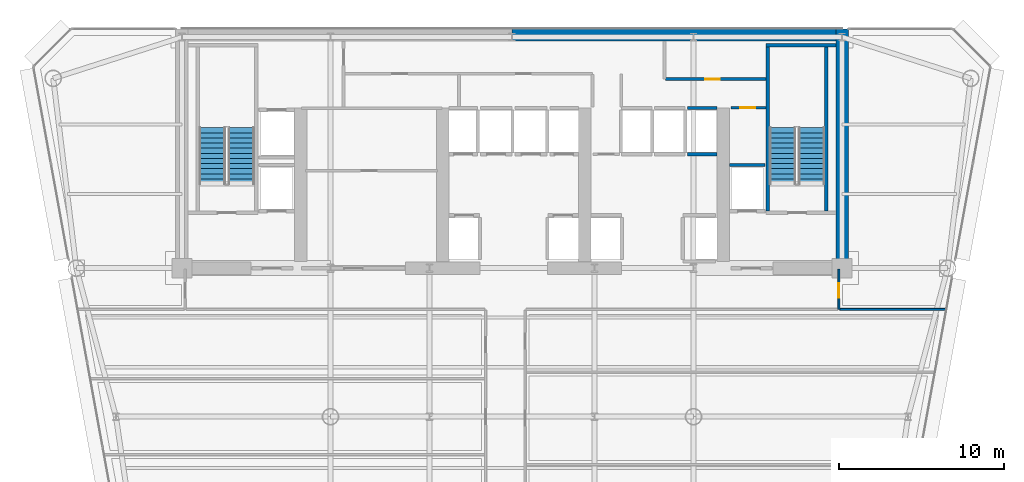
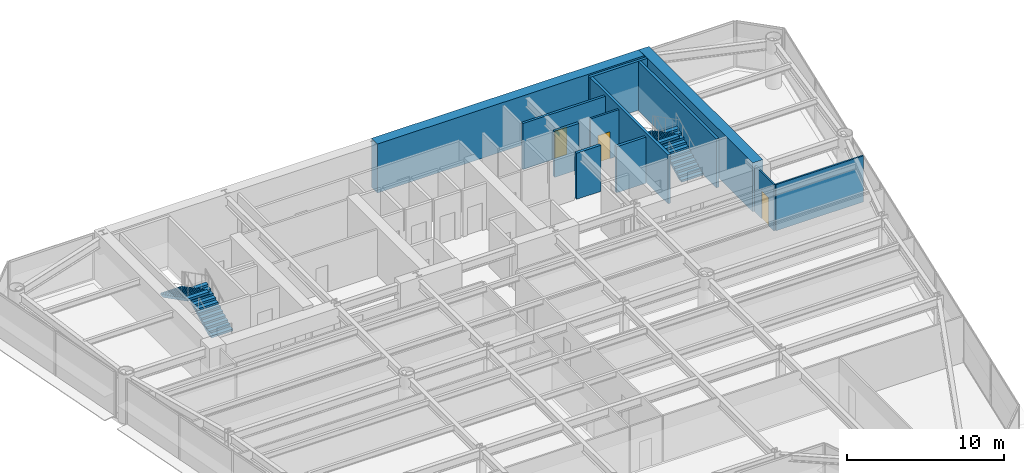
# One storey, part 13 of 17: 12 walls, 4 stair flights, 3 doors, 3 openings, 2 elements without a shape of their own.
"""IFC4 building model written with IfcOpenShell, lengths in metres."""

from ifc_helpers import new_model, si_unit, direction, frame, frame_2d, origin, place, context, subcontext, project, spatial, polyline, rectangle, outline, extrude, source, transform, mapped, material, layer, layer_set, type_object, element, fill, aggregate, save


model = new_model("IFC4")

# Units and contexts
model_context = context("Model", 3, precision=1e-05, world=origin(), true_north=direction((0.0, 1.0)))
body_context = subcontext(model_context, "Body", "Model", "MODEL_VIEW")
ifc_project = project(units=[si_unit("LENGTHUNIT", "METRE"), si_unit("AREAUNIT", "SQUARE_METRE"), si_unit("VOLUMEUNIT", "CUBIC_METRE"), si_unit("PLANEANGLEUNIT", "RADIAN"), si_unit("MASSUNIT", "GRAM", prefix="KILO")], contexts=[model_context])

# Site, building, storey
site_placement = place(None, origin())
site = spatial("IfcSite", under=ifc_project, at=site_placement, CompositionType="ELEMENT")
building_placement = place(site_placement, origin())
building = spatial("IfcBuilding", under=site, at=building_placement, Name="Vaeldorn Concourse Tower", CompositionType="ELEMENT")
storey_placement = place(building_placement, frame((0.0, 0.0, 153.800048828125)))
storey = spatial("IfcBuildingStorey", under=building, at=storey_placement, Name="L39", CompositionType="ELEMENT", Elevation=153.800048828125)

# Walls
ifc_material_1 = material(Name="Concrete C60/75", Category="concrete")
ifc_layer_1 = layer(ifc_material_1, 0.75)
ifc_layer_set_1 = layer_set([ifc_layer_1], Name="Concrete C60/75")
wall_type_1 = type_object("IfcWallType", Name="WL-CORE-750", PredefinedType="SHEAR", material=ifc_layer_set_1)
wall_1_placement = place(storey_placement, frame((34.001953125, 50.625, 0.0), z_axis=(0.0, 0.0, 1.0), x_axis=(1.0, 0.0, 0.0)))
element("IfcWall", 1, at=wall_1_placement, inside=storey, type_object=wall_type_1, Name="Rear Core Shear Wall L39 N2", PredefinedType="SHEAR", context=body_context, shape_type="SweptSolid", body=[
    extrude(rectangle(XDim=19.619140625, YDim=0.75, at=frame_2d((9.8095703125, 0.0))), origin(), (0.0, 0.0, 1.0), 3.800048828125),
])
wall_2_placement = place(storey_placement, frame((54.0, 36.5, 0.0), z_axis=(0.0, 0.0, 1.0), x_axis=(0.0, 1.0, 0.0)))
element("IfcWall", 2, at=wall_2_placement, inside=storey, type_object=wall_type_1, Name="Rear Core Shear Wall L39 E1", PredefinedType="SHEAR", context=body_context, shape_type="SweptSolid", body=[
    extrude(rectangle(XDim=14.5, YDim=0.75, at=frame_2d((7.25, 0.0))), origin(), (0.0, 0.0, 1.0), 3.800048828125),
])

# Wall, opening, door
ifc_material_2 = material(Name="Gypsum Board Partition", Category="gypsum")
ifc_layer_2 = layer(ifc_material_2, 0.1201171875)
ifc_layer_set_2 = layer_set([ifc_layer_2], Name="Gypsum Board Partition")
wall_type_2 = type_object("IfcWallType", Name="WL-PART-120", PredefinedType="PARTITIONING", material=ifc_layer_set_2)
wall_3_placement = place(storey_placement, frame((53.800048828125, 34.0, 0.0), z_axis=(0.0, 0.0, 1.0), x_axis=(0.0, 1.0, 0.0)))
wall_3 = element("IfcWall", 3, at=wall_3_placement, inside=storey, type_object=wall_type_2, Name="Interior Wall PW-L39-C3E", PredefinedType="PARTITIONING", context=body_context, shape_type="SweptSolid", body=[
    extrude(rectangle(XDim=2.43994140625, YDim=0.1201171875, at=frame_2d((1.219970703125, 0.0))), origin(), (0.0, 0.0, 1.0), 3.579833984375),
])
opening_1_placement = place(wall_3_placement, frame((0.699951171875, 0.0, 0.0)))
opening_1 = element("IfcOpeningElement", 4, at=opening_1_placement, cuts=wall_3, Name="Opening D-03", PredefinedType="OPENING", context=body_context, shape_type="SweptSolid", body=[
    extrude(rectangle(XDim=0.89990234375, YDim=2.14990234375, at=frame_2d((0.449951171875, 1.074951171875))), frame((0.0, 0.070068359375, 0.0), z_axis=(0.0, -1.0, 0.0), x_axis=(1.0, 0.0, 0.0)), (0.0, 0.0, 1.0), 0.14013671875),
])
ifc_material_3 = material(Name="Acoustic Bronze-Framed Glass Door", Category="glass")
door_type_1 = type_object("IfcDoorType", Name="DR-INT-900", OperationType="NOTDEFINED", PredefinedType="DOOR", material=ifc_material_3)
shared_shape_1 = source(origin(), body_context, "Body", "SweptSolid", [
    extrude(rectangle(XDim=0.89990234375, YDim=2.14990234375, at=frame_2d((0.449951171875, 1.074951171875))), frame((0.0, 0.02490234375, 0.0), z_axis=(0.0, -1.0, 0.0), x_axis=(1.0, 0.0, 0.0)), (0.0, 0.0, 1.0), 0.050048828125),
])
door_1_placement = place(opening_1_placement, origin())
door_1 = element("IfcDoor", 5, at=door_1_placement, inside=storey, type_object=door_type_1, Name="Interior Door DR-L39-Z3NE", OperationType="SINGLE_SWING_RIGHT", OverallHeight=2.14990234375, OverallWidth=0.89990234375, PredefinedType="DOOR", context=body_context, shape_type="MappedRepresentation", body=[
    mapped(shared_shape_1, transform((0.0, 0.0, 0.0), scale=1.0)),
])
fill(opening_1, door_1)

# Wall
wall_4_placement = place(storey_placement, frame((53.860107421875, 34.0, 0.0), z_axis=(0.0, 0.0, 1.0), x_axis=(1.0, 0.0, 0.0)))
element("IfcWall", 6, at=wall_4_placement, inside=storey, type_object=wall_type_2, Name="Interior Wall PW-L39-Z3NEB", PredefinedType="PARTITIONING", context=body_context, shape_type="SweptSolid", body=[
    extrude(rectangle(XDim=6.41845703125, YDim=0.1201171875, at=frame_2d((3.209228515625, 0.0))), origin(), (0.0, 0.0, 1.0), 3.579833984375),
])

# Wall, opening, door
ifc_layer_3 = layer(ifc_material_2, 0.14990234375)
ifc_layer_set_3 = layer_set([ifc_layer_3], Name="Gypsum Board Partition")
wall_type_3 = type_object("IfcWallType", Name="WL-PART-150", PredefinedType="PARTITIONING", material=ifc_layer_set_3)
wall_5_placement = place(storey_placement, frame((47.280029296875, 46.219970703125, 0.0), z_axis=(0.0, 0.0, 1.0), x_axis=(1.0, 0.0, 0.0)))
wall_5 = element("IfcWall", 7, at=wall_5_placement, inside=storey, type_object=wall_type_3, Name="Interior Wall CW-L39-CRSE-N", PredefinedType="PARTITIONING", context=body_context, shape_type="SweptSolid", body=[
    extrude(rectangle(XDim=2.099853515625, YDim=0.14990234375, at=frame_2d((1.0498046875, 0.0))), origin(), (0.0, 0.0, 1.0), 3.579833984375),
])
opening_2_placement = place(wall_5_placement, frame((0.550048828125, 0.0, 0.0)))
opening_2 = element("IfcOpeningElement", 8, at=opening_2_placement, cuts=wall_5, Name="Opening D-02", PredefinedType="OPENING", context=body_context, shape_type="SweptSolid", body=[
    extrude(rectangle(XDim=0.89990234375, YDim=2.10009765625, at=frame_2d((0.449951171875, 1.050048828125))), frame((0.0, 0.0849609375, 0.0), z_axis=(0.0, -1.0, 0.0), x_axis=(1.0, 0.0, 0.0)), (0.0, 0.0, 1.0), 0.169921875),
])
ifc_material_4 = material(Name="Fire-Rated Timber Leaf", Category="wood")
door_type_2 = type_object("IfcDoorType", Name="DR-FD30-900", OperationType="NOTDEFINED", PredefinedType="DOOR", material=ifc_material_4)
shared_shape_2 = source(origin(), body_context, "Body", "SweptSolid", [
    extrude(rectangle(XDim=0.89990234375, YDim=2.10009765625, at=frame_2d((0.449951171875, 1.050048828125))), frame((0.0, 0.02490234375, 0.0), z_axis=(0.0, -1.0, 0.0), x_axis=(1.0, 0.0, 0.0)), (0.0, 0.0, 1.0), 0.050048828125),
])
door_2_placement = place(opening_2_placement, origin())
door_2 = element("IfcDoor", 9, at=door_2_placement, inside=storey, type_object=door_type_2, Name="Interior Door DR-L39-CRSE", OperationType="SINGLE_SWING_RIGHT", OverallHeight=2.10009765625, OverallWidth=0.89990234375, PredefinedType="DOOR", context=body_context, shape_type="MappedRepresentation", body=[
    mapped(shared_shape_2, transform((0.0, 0.0, 0.0), scale=1.0)),
])
fill(opening_2, door_2)

ifc_layer_4 = layer(ifc_material_2, 0.179931640625)
ifc_layer_set_4 = layer_set([ifc_layer_4], Name="Gypsum Board Partition")
wall_type_4 = type_object("IfcWallType", Name="WL-PLUMB-180", PredefinedType="PLUMBINGWALL", material=ifc_layer_set_4)
wall_6_placement = place(storey_placement, frame((43.300048828125, 47.949951171875, 0.0), z_axis=(0.0, 0.0, 1.0), x_axis=(1.0, 0.0, 0.0)))
wall_6 = element("IfcWall", 10, at=wall_6_placement, inside=storey, type_object=wall_type_4, Name="Interior Wall CW-L39-NS2EE", PredefinedType="PLUMBINGWALL", context=body_context, shape_type="SweptSolid", body=[
    extrude(rectangle(XDim=6.079833984375, YDim=0.179931640625, at=frame_2d((3.0400390625, 0.0))), origin(), (0.0, 0.0, 1.0), 3.579833984375),
])
opening_3_placement = place(wall_6_placement, frame((2.39990234375, 0.0, 0.0)))
opening_3 = element("IfcOpeningElement", 11, at=opening_3_placement, cuts=wall_6, Name="Opening D-03", PredefinedType="OPENING", context=body_context, shape_type="SweptSolid", body=[
    extrude(rectangle(XDim=0.89990234375, YDim=2.14990234375, at=frame_2d((0.449951171875, 1.074951171875))), frame((0.0, 0.10009765625, 0.0), z_axis=(0.0, -1.0, 0.0), x_axis=(1.0, 0.0, 0.0)), (0.0, 0.0, 1.0), 0.199951171875),
])
door_3_placement = place(opening_3_placement, origin())
door_3 = element("IfcDoor", 12, at=door_3_placement, inside=storey, type_object=door_type_1, Name="Interior Door DR-L39-CS5", OperationType="SINGLE_SWING_RIGHT", OverallHeight=2.14990234375, OverallWidth=0.89990234375, PredefinedType="DOOR", context=body_context, shape_type="MappedRepresentation", body=[
    mapped(shared_shape_1, transform((0.0, 0.0, 0.0), scale=1.0)),
])
fill(opening_3, door_3)

# Walls
ifc_material_5 = material(Name="Concrete C50/60", Category="concrete")
ifc_layer_5 = layer(ifc_material_5, 0.199951171875)
ifc_layer_set_5 = layer_set([ifc_layer_5], Name="Concrete C50/60")
wall_type_5 = type_object("IfcWallType", Name="WL-SHAFT-200", PredefinedType="SOLIDWALL", material=ifc_layer_set_5)
wall_7_placement = place(storey_placement, frame((49.39990234375, 50.0, 0.0), z_axis=(0.0, 0.0, 1.0), x_axis=(1.0, 0.0, 0.0)))
element("IfcWall", 13, at=wall_7_placement, inside=storey, type_object=wall_type_5, Name="Stair Shaft Wall CW-L39-ST-2-N", PredefinedType="SOLIDWALL", context=body_context, shape_type="SweptSolid", body=[
    extrude(rectangle(XDim=4.22509765625, YDim=0.199951171875, at=frame_2d((2.112548828125, 0.0))), origin(), (0.0, 0.0, 1.0), 3.800048828125),
])
for number, where, z_axis, x_axis, name in (
    (14, (49.5, 39.9599609375, 0.0), (0.0, 0.0, 1.0), (0.0, 1.0, 0.0), "Stair Shaft Wall CW-L39-ST-2-W"),
    (15, (53.050048828125, 39.9599609375, 0.0), (0.0, 0.0, 1.0), (0.0, 1.0, 0.0), "Stair Shaft Wall CW-L39-ST-2-E"),
):
    element("IfcWall", number, at=place(storey_placement, frame(where, z_axis=z_axis, x_axis=x_axis)), inside=storey, type_object=wall_type_5, Name=name, PredefinedType="SOLIDWALL", context=body_context, shape_type="SweptSolid", body=[
        extrude(rectangle(XDim=9.929931640625, YDim=0.199951171875, at=frame_2d((4.96484375, 0.0))), origin(), (0.0, 0.0, 1.0), 3.800048828125),
    ])
for number, where, z_axis, x_axis, name in (
    (16, (44.6201171875, 43.39990234375, 0.0), (0.0, 0.0, 1.0), (1.0, 0.0, 0.0), "Interior Wall CW-L39-LF-LF-17"),
    (17, (44.6201171875, 46.199951171875, 0.0), (0.0, 0.0, 1.0), (1.0, 0.0, 0.0), "Interior Wall CW-L39-LFB-LF-17"),
):
    element("IfcWall", number, at=place(storey_placement, frame(where, z_axis=z_axis, x_axis=x_axis)), inside=storey, type_object=wall_type_5, Name=name, PredefinedType="SOLIDWALL", context=body_context, shape_type="SweptSolid", body=[
        extrude(rectangle(XDim=1.794921875, YDim=0.199951171875, at=frame_2d((0.8974609375, 0.0))), origin(), (0.0, 0.0, 1.0), 3.579833984375),
    ])
wall_8_placement = place(storey_placement, frame((47.18505859375, 42.75, 0.0), z_axis=(0.0, 0.0, 1.0), x_axis=(1.0, 0.0, 0.0)))
element("IfcWall", 18, at=wall_8_placement, inside=storey, type_object=wall_type_5, Name="Interior Wall CW-L39-LFB-LF-FF2", PredefinedType="SOLIDWALL", context=body_context, shape_type="SweptSolid", body=[
    extrude(rectangle(XDim=2.14501953125, YDim=0.199951171875, at=frame_2d((1.072509765625, 0.0))), origin(), (0.0, 0.0, 1.0), 3.579833984375),
])

# Stair, stair flights
ifc_material_6 = material(Name="Precast concrete C40/50", Category="concrete")
stair_type = type_object("IfcStairType", Name="STR-DOG-24x158", PredefinedType="HALF_TURN_STAIR", material=ifc_material_6)
stair_1_placement = place(storey_placement, origin())
stair_1 = element("IfcStair", 19, at=stair_1_placement, inside=storey, type_object=stair_type, Name="L39 West Core Exit Stair ST-1", PredefinedType="HALF_TURN_STAIR")
stair_flight_type = type_object("IfcStairFlightType", Name="STF-STR-12x158", PredefinedType="STRAIGHT", material=ifc_material_6)
stair_flight_1_placement = place(storey_placement, frame((17.60009765625, 41.60009765625, 0.0), z_axis=(0.0, 0.0, 1.0), x_axis=(0.0, 1.0, 0.0)))
stair_flight_1 = element("IfcStairFlight", 20, at=stair_flight_1_placement, type_object=stair_flight_type, Name="ST-1 flight 1", NumberOfRisers=12, NumberOfTreads=11, PredefinedType="STRAIGHT", RiserHeight=0.158333333, TreadLength=0.31, context=body_context, shape_type="SweptSolid", body=[
    extrude(outline(polyline([(0.0, 0.0), (0.0, 0.158447265625), (0.31005859375, 0.158447265625), (0.31005859375, 0.316650390625), (0.6201171875, 0.316650390625), (0.6201171875, 0.47509765625), (0.929931640625, 0.47509765625), (0.929931640625, 0.63330078125), (1.239990234375, 0.63330078125), (1.239990234375, 0.791748046875), (1.550048828125, 0.791748046875), (1.550048828125, 0.949951171875), (1.860107421875, 0.949951171875), (1.860107421875, 1.1083984375), (2.169921875, 1.1083984375), (2.169921875, 1.2666015625), (2.47998046875, 1.2666015625), (2.47998046875, 1.425048828125), (2.7900390625, 1.425048828125), (2.7900390625, 1.583251953125), (3.10009765625, 1.583251953125), (3.10009765625, 1.74169921875), (3.409912109375, 1.74169921875), (3.409912109375, 1.89990234375), (3.409912109375, 1.5732421875), (0.32958984375, 0.0), (0.0, 0.0)])), frame((0.0, 0.800048828125, 0.0), z_axis=(0.0, -1.0, 0.0), x_axis=(1.0, 0.0, 0.0)), (0.0, 0.0, 1.0), 1.60009765625),
])
stair_flight_2_placement = place(storey_placement, frame((15.85009765625, 45.010009765625, 1.89990234375), z_axis=(0.0, 0.0, 1.0), x_axis=(0.0, -1.0, 0.0)))
stair_flight_2 = element("IfcStairFlight", 21, at=stair_flight_2_placement, type_object=stair_flight_type, Name="ST-1 flight 2", NumberOfRisers=12, NumberOfTreads=11, PredefinedType="STRAIGHT", RiserHeight=0.158333333, TreadLength=0.31, context=body_context, shape_type="SweptSolid", body=[
    extrude(outline(polyline([(0.0, 0.0), (0.0, 0.158447265625), (0.31005859375, 0.158447265625), (0.31005859375, 0.316650390625), (0.6201171875, 0.316650390625), (0.6201171875, 0.47509765625), (0.929931640625, 0.47509765625), (0.929931640625, 0.63330078125), (1.239990234375, 0.63330078125), (1.239990234375, 0.791748046875), (1.550048828125, 0.791748046875), (1.550048828125, 0.949951171875), (1.860107421875, 0.949951171875), (1.860107421875, 1.1083984375), (2.169921875, 1.1083984375), (2.169921875, 1.2666015625), (2.47998046875, 1.2666015625), (2.47998046875, 1.425048828125), (2.7900390625, 1.425048828125), (2.7900390625, 1.583251953125), (3.10009765625, 1.583251953125), (3.10009765625, 1.74169921875), (3.409912109375, 1.74169921875), (3.409912109375, 1.89990234375), (3.409912109375, 1.5732421875), (0.32958984375, 0.0), (0.0, 0.0)])), frame((0.0, 0.800048828125, 0.0), z_axis=(0.0, -1.0, 0.0), x_axis=(1.0, 0.0, 0.0)), (0.0, 0.0, 1.0), 1.60009765625),
])
aggregate(stair_1, [stair_flight_1, stair_flight_2])

stair_2_placement = place(storey_placement, origin())
stair_2 = element("IfcStair", 22, at=stair_2_placement, inside=storey, type_object=stair_type, Name="L39 East Core Exit Stair ST-2", PredefinedType="HALF_TURN_STAIR")
stair_flight_3_placement = place(storey_placement, frame((52.14990234375, 41.60009765625, 0.0), z_axis=(0.0, 0.0, 1.0), x_axis=(0.0, 1.0, 0.0)))
stair_flight_3 = element("IfcStairFlight", 23, at=stair_flight_3_placement, type_object=stair_flight_type, Name="ST-2 flight 1", NumberOfRisers=12, NumberOfTreads=11, PredefinedType="STRAIGHT", RiserHeight=0.158333333, TreadLength=0.31, context=body_context, shape_type="SweptSolid", body=[
    extrude(outline(polyline([(0.0, 0.0), (0.0, 0.158447265625), (0.31005859375, 0.158447265625), (0.31005859375, 0.316650390625), (0.6201171875, 0.316650390625), (0.6201171875, 0.47509765625), (0.929931640625, 0.47509765625), (0.929931640625, 0.63330078125), (1.239990234375, 0.63330078125), (1.239990234375, 0.791748046875), (1.550048828125, 0.791748046875), (1.550048828125, 0.949951171875), (1.860107421875, 0.949951171875), (1.860107421875, 1.1083984375), (2.169921875, 1.1083984375), (2.169921875, 1.2666015625), (2.47998046875, 1.2666015625), (2.47998046875, 1.425048828125), (2.7900390625, 1.425048828125), (2.7900390625, 1.583251953125), (3.10009765625, 1.583251953125), (3.10009765625, 1.74169921875), (3.409912109375, 1.74169921875), (3.409912109375, 1.89990234375), (3.409912109375, 1.5732421875), (0.32958984375, 0.0), (0.0, 0.0)])), frame((0.0, 0.800048828125, 0.0), z_axis=(0.0, -1.0, 0.0), x_axis=(1.0, 0.0, 0.0)), (0.0, 0.0, 1.0), 1.60009765625),
])
stair_flight_4_placement = place(storey_placement, frame((50.39990234375, 45.010009765625, 1.89990234375), z_axis=(0.0, 0.0, 1.0), x_axis=(0.0, -1.0, 0.0)))
stair_flight_4 = element("IfcStairFlight", 24, at=stair_flight_4_placement, type_object=stair_flight_type, Name="ST-2 flight 2", NumberOfRisers=12, NumberOfTreads=11, PredefinedType="STRAIGHT", RiserHeight=0.158333333, TreadLength=0.31, context=body_context, shape_type="SweptSolid", body=[
    extrude(outline(polyline([(0.0, 0.0), (0.0, 0.158447265625), (0.31005859375, 0.158447265625), (0.31005859375, 0.316650390625), (0.6201171875, 0.316650390625), (0.6201171875, 0.47509765625), (0.929931640625, 0.47509765625), (0.929931640625, 0.63330078125), (1.239990234375, 0.63330078125), (1.239990234375, 0.791748046875), (1.550048828125, 0.791748046875), (1.550048828125, 0.949951171875), (1.860107421875, 0.949951171875), (1.860107421875, 1.1083984375), (2.169921875, 1.1083984375), (2.169921875, 1.2666015625), (2.47998046875, 1.2666015625), (2.47998046875, 1.425048828125), (2.7900390625, 1.425048828125), (2.7900390625, 1.583251953125), (3.10009765625, 1.583251953125), (3.10009765625, 1.74169921875), (3.409912109375, 1.74169921875), (3.409912109375, 1.89990234375), (3.409912109375, 1.5732421875), (0.32958984375, 0.0), (0.0, 0.0)])), frame((0.0, 0.800048828125, 0.0), z_axis=(0.0, -1.0, 0.0), x_axis=(1.0, 0.0, 0.0)), (0.0, 0.0, 1.0), 1.60009765625),
])
aggregate(stair_2, [stair_flight_3, stair_flight_4])

save(model, "model.ifc")
